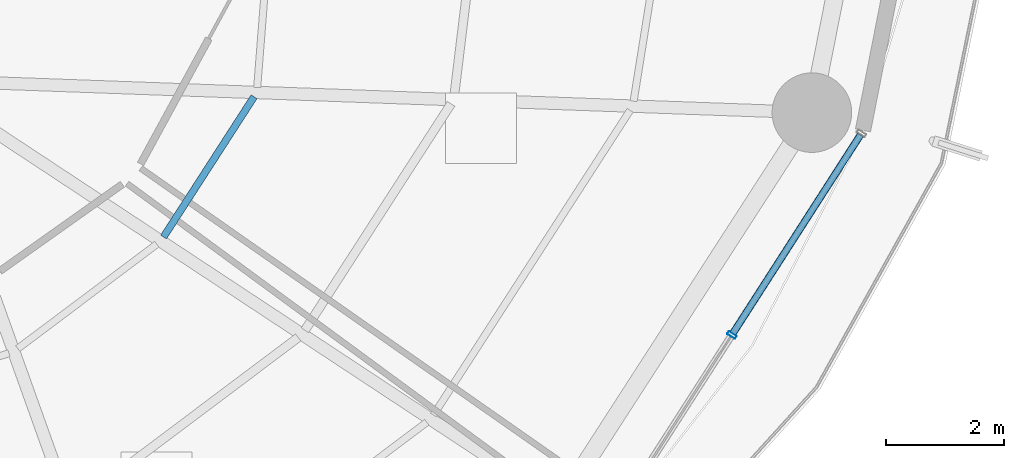
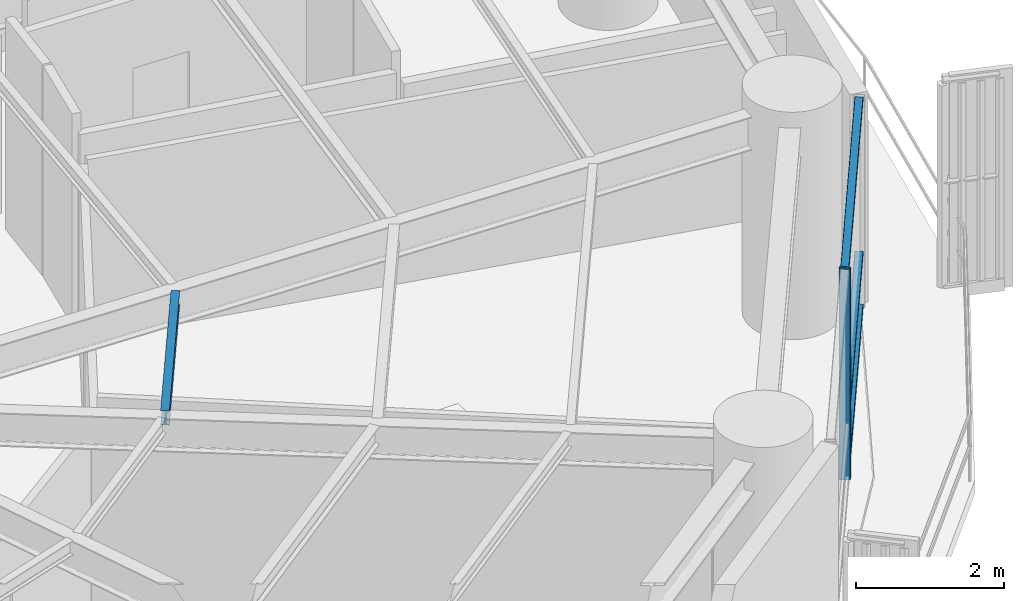
# One storey, part 14 of 35: 4 members, 1 beam, 1 element without a shape of its own.
"""IFC4 building model written with IfcOpenShell, lengths in metres."""

from ifc_helpers import new_model, si_unit, direction, frame, origin, origin_2d, place, context, subcontext, project, spatial, hollow_rectangle, i_section, extrude, material, layer, layer_set, material_profile, profile_set, type_object, element, aggregate, save


model = new_model("IFC4")

# Units and contexts
model_context = context("Model", 3, precision=1e-05, world=origin(), true_north=direction((0.0, 1.0)))
body_context = subcontext(model_context, "Body", "Model", "MODEL_VIEW")
ifc_project = project(units=[si_unit("LENGTHUNIT", "METRE"), si_unit("AREAUNIT", "SQUARE_METRE"), si_unit("VOLUMEUNIT", "CUBIC_METRE"), si_unit("PLANEANGLEUNIT", "RADIAN"), si_unit("MASSUNIT", "GRAM", prefix="KILO")], contexts=[model_context])

# Site, building, storey
site_placement = place(None, origin())
site = spatial("IfcSite", under=ifc_project, at=site_placement, CompositionType="ELEMENT")
building_placement = place(site_placement, origin())
building = spatial("IfcBuilding", under=site, at=building_placement, Name="Kelanora Arch Commons", CompositionType="ELEMENT")
storey_placement = place(building_placement, frame((0.0, 0.0, 121.35009765625)))
storey = spatial("IfcBuildingStorey", under=building, at=storey_placement, Name="L31", CompositionType="ELEMENT", Elevation=121.35009765625)

# Beam
ifc_material_1 = material(Name="Steel S355", Category="steel")
ifc_material_profile_1 = material_profile(ifc_material_1, i_section(OverallWidth=0.1201171875, OverallDepth=0.239990234375, WebThickness=0.006103515625, FlangeThickness=0.009765625, FilletRadius=0.014892578125, at=origin_2d()), Name="IPE240")
ifc_profile_set_1 = profile_set([ifc_material_profile_1], Name="Steel S355")
beam_type = type_object("IfcBeamType", Name="BM-JST-02", PredefinedType="JOIST", material=ifc_profile_set_1)
beam_placement = place(storey_placement, frame((86.1904296875, 48.338134765625, 3.369873046875), z_axis=(0.542211255502, 0.840242199849, 0.0), x_axis=(-0.840242199849, 0.542211255502, 0.0)))
element("IfcBeam", 1, at=beam_placement, inside=storey, type_object=beam_type, Name="Secondary Chord Joist BJA-32 L31", PredefinedType="JOIST", context=body_context, shape_type="SweptSolid", body=[
    extrude(i_section(OverallWidth=0.1201171875, OverallDepth=0.239990234375, WebThickness=0.006103515625, FlangeThickness=0.009765625, FilletRadius=0.014892578125, at=origin_2d()), origin(), (0.0, 0.0, 1.0), 2.83349609375),
])

# Curtain wall, members
ifc_material_2 = material(Name="Terracotta ceramic-fritted low-E glass and aluminium", Category="masonry")
ifc_layer = layer(ifc_material_2, 0.159912109375)
ifc_layer_set = layer_set([ifc_layer], Name="Terracotta ceramic-fritted low-E glass and aluminium")
curtain_wall_type = type_object("IfcCurtainWallType", Name="CW-SYS-01", PredefinedType="NOTDEFINED", material=ifc_layer_set)
curtain_wall_placement = place(storey_placement, origin())
curtain_wall = element("IfcCurtainWall", 2, at=curtain_wall_placement, inside=storey, type_object=curtain_wall_type, Name="Unitised Curtain Wall L31-B16", PredefinedType="NOTDEFINED")
ifc_material_3 = material(Name="Powder-coated aluminium terracotta", Category="masonry")
ifc_material_profile_2 = material_profile(ifc_material_3, hollow_rectangle(XDim=0.159912109375, YDim=0.06005859375, WallThickness=0.0048828125, InnerFilletRadius=0.0048828125, OuterFilletRadius=0.010009765625, at=origin_2d()), Name="CWM160x60")
ifc_profile_set_2 = profile_set([ifc_material_profile_2], Name="Powder-coated aluminium terracotta")
member_type_1 = type_object("IfcMemberType", Name="CWM-STD", PredefinedType="MULLION", material=ifc_profile_set_2)
member_1_placement = place(storey_placement, frame((95.83349609375, 46.6748046875, 0.0), z_axis=(0.0, 0.0, 1.0), x_axis=(-0.841268883088, 0.540616931244, 0.0)))
member_1 = element("IfcMember", 3, at=member_1_placement, type_object=member_type_1, Name="CW-01 mullion 2", PredefinedType="MULLION", context=body_context, shape_type="SweptSolid", body=[
    extrude(hollow_rectangle(XDim=0.159912109375, YDim=0.06005859375, WallThickness=0.0048828125, InnerFilletRadius=0.0048828125, OuterFilletRadius=0.010009765625, at=origin_2d()), origin(), (0.0, 0.0, 1.0), 3.474853515625),
])
ifc_material_profile_3 = material_profile(ifc_material_3, hollow_rectangle(XDim=0.1201171875, YDim=0.06005859375, WallThickness=0.0048828125, InnerFilletRadius=0.0048828125, OuterFilletRadius=0.010009765625, at=origin_2d()), Name="CWT120x60")
ifc_profile_set_3 = profile_set([ifc_material_profile_3], Name="Powder-coated aluminium terracotta")
member_type_2 = type_object("IfcMemberType", Name="CWT-STD", PredefinedType="USERDEFINED", material=ifc_profile_set_3)
member_2_placement = place(storey_placement, frame((95.849609375, 46.699951171875, 0.02978515625), z_axis=(0.540643629734, 0.841251725483, 0.0), x_axis=(-0.841251725483, 0.540643629734, 0.0)))
member_2 = element("IfcMember", 4, at=member_2_placement, type_object=member_type_2, Name="CW-01 transom 2.1", ObjectType="TRANSOM", PredefinedType="USERDEFINED", context=body_context, shape_type="SweptSolid", body=[
    extrude(hollow_rectangle(XDim=0.1201171875, YDim=0.06005859375, WallThickness=0.0048828125, InnerFilletRadius=0.0048828125, OuterFilletRadius=0.010009765625, at=origin_2d()), origin(), (0.0, 0.0, 1.0), 4.00634765625),
])
member_3_placement = place(storey_placement, frame((95.849609375, 46.699951171875, 0.89990234375), z_axis=(0.540643629734, 0.841251725483, 0.0), x_axis=(-0.841251725483, 0.540643629734, 0.0)))
member_3 = element("IfcMember", 5, at=member_3_placement, type_object=member_type_2, Name="CW-01 transom 2.2", ObjectType="TRANSOM", PredefinedType="USERDEFINED", context=body_context, shape_type="SweptSolid", body=[
    extrude(hollow_rectangle(XDim=0.1201171875, YDim=0.06005859375, WallThickness=0.0048828125, InnerFilletRadius=0.0048828125, OuterFilletRadius=0.010009765625, at=origin_2d()), origin(), (0.0, 0.0, 1.0), 4.00634765625),
])
member_4_placement = place(storey_placement, frame((95.849609375, 46.699951171875, 3.44482421875), z_axis=(0.540643629734, 0.841251725483, 0.0), x_axis=(-0.841251725483, 0.540643629734, 0.0)))
member_4 = element("IfcMember", 6, at=member_4_placement, type_object=member_type_2, Name="CW-01 transom 2.3", ObjectType="TRANSOM", PredefinedType="USERDEFINED", context=body_context, shape_type="SweptSolid", body=[
    extrude(hollow_rectangle(XDim=0.1201171875, YDim=0.06005859375, WallThickness=0.0048828125, InnerFilletRadius=0.0048828125, OuterFilletRadius=0.010009765625, at=origin_2d()), origin(), (0.0, 0.0, 1.0), 4.00634765625),
])
aggregate(curtain_wall, [member_1, member_2, member_3, member_4])

save(model, "model.ifc")
